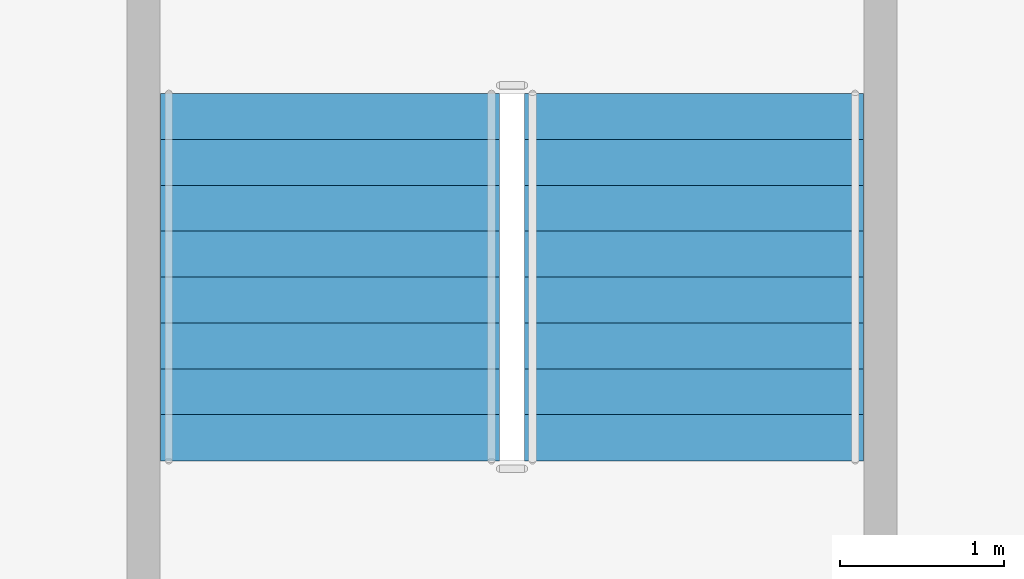
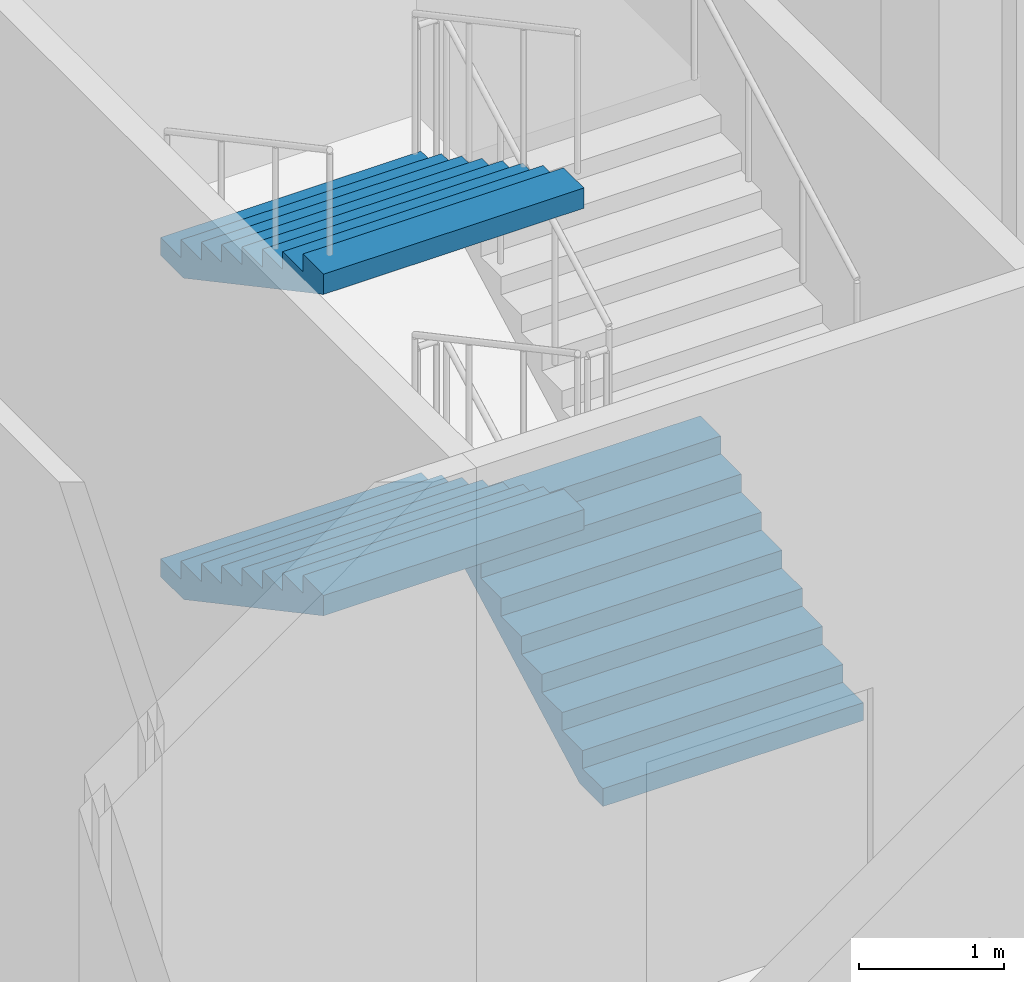
# One storey, part 20 of 26: 3 stair flights, 1 element without a shape of its own.
"""IFC4 building model written with IfcOpenShell, lengths in metres."""

from ifc_helpers import new_model, si_unit, direction, frame, origin, place, context, subcontext, project, spatial, polygons, material, type_object, element, aggregate, save


model = new_model("IFC4")

# Units and contexts
model_context = context("Model", 3, precision=1e-05, world=origin(), true_north=direction((0.0, 1.0)))
body_context = subcontext(model_context, "Body", "Model", "MODEL_VIEW")
ifc_project = project(units=[si_unit("LENGTHUNIT", "METRE"), si_unit("AREAUNIT", "SQUARE_METRE"), si_unit("VOLUMEUNIT", "CUBIC_METRE"), si_unit("PLANEANGLEUNIT", "RADIAN"), si_unit("MASSUNIT", "GRAM", prefix="KILO")], contexts=[model_context])

# Site, building, storey
site_placement = place(None, origin())
site = spatial("IfcSite", under=ifc_project, at=site_placement, CompositionType="ELEMENT")
building_placement = place(site_placement, origin())
building = spatial("IfcBuilding", under=site, at=building_placement, Name="Caravel Reach Hotel and Residences", CompositionType="ELEMENT")
storey_placement = place(building_placement, frame((0.0, 0.0, 12.0)))
storey = spatial("IfcBuildingStorey", under=building, at=storey_placement, Name="L02", CompositionType="ELEMENT", Elevation=12.0)

# Stair, stair flights
ifc_material_1 = material(Name="Concrete C40", Category="concrete")
stair_type = type_object("IfcStairType", Name="Core stair", PredefinedType="HALF_TURN_STAIR", material=ifc_material_1)
stair_placement = place(storey_placement, origin())
stair = element("IfcStair", 1, at=stair_placement, inside=storey, type_object=stair_type, Name="L02 Exit stair P6", PredefinedType="HALF_TURN_STAIR")
ifc_material_2 = material(Name="Concrete C40", Category="concrete")
stair_flight_type = type_object("IfcStairFlightType", Name="Core stair flight", PredefinedType="STRAIGHT", material=ifc_material_2)
stair_flight_1_placement = place(storey_placement, frame((64.360107421875, 42.68994140625, 0.0), z_axis=(0.0, 0.0, 1.0), x_axis=(0.0, 1.0, 0.0)))
stair_flight_1 = element("IfcStairFlight", 2, at=stair_flight_1_placement, type_object=stair_flight_type, Name="ST-P6 flight 1", NumberOfRisers=9, NumberOfTreads=8, PredefinedType="STRAIGHT", RiserHeight=0.15, TreadLength=0.28, context=body_context, shape_type="Tessellation", body=[
    polygons([(0.3174408016601864, 1.0350341796875, 0.0), (0.3174408016601864, 0.6900227864583333, 0.0), (0.3174408016601864, 0.34501139322916663, 0.0), (0.3174408016601864, 0.0, 0.0), (0.3174408016601864, -0.34501139322916674, 0.0), (0.3174408016601864, -0.6900227864583333, 0.0), (0.3174408016601864, -1.0350341796875, 0.0), (2.241, 1.0350341796875, 1.029942427682043), (2.241, 0.6900227864583333, 1.029942427682043), (2.241, 0.34501139322916663, 1.029942427682043), (2.241, 0.0, 1.029942427682043), (2.241, -0.34501139322916674, 1.029942427682043), (2.241, -0.6900227864583333, 1.029942427682043), (2.241, -1.0350341796875, 1.029942427682043), (2.241, 1.0350341796875, 1.2), (2.241, 0.6900227864583333, 1.2), (2.241, 0.34501139322916663, 1.2), (2.241, 0.0, 1.2), (2.241, -0.34501139322916674, 1.2), (2.241, -0.6900227864583333, 1.2), (2.241, -1.0350341796875, 1.2), (1.9600000000000002, 1.0350341796875, 1.2), (1.9600000000000002, 0.6900227864583333, 1.2), (1.9600000000000002, 0.34501139322916663, 1.2), (1.9600000000000002, 0.0, 1.2), (1.9600000000000002, -0.34501139322916674, 1.2), (1.9600000000000002, -0.6900227864583333, 1.2), (1.9600000000000002, -1.0350341796875, 1.2), (1.9600000000000002, 1.0350341796875, 1.05), (1.9600000000000002, 0.6900227864583333, 1.05), (1.9600000000000002, 0.34501139322916663, 1.05), (1.9600000000000002, 0.0, 1.05), (1.9600000000000002, -0.34501139322916674, 1.05), (1.9600000000000002, -0.6900227864583333, 1.05), (1.9600000000000002, -1.0350341796875, 1.05), (1.6800000000000002, 1.0350341796875, 1.05), (1.6800000000000002, 0.6900227864583333, 1.05), (1.6800000000000002, 0.34501139322916663, 1.05), (1.6800000000000002, 0.0, 1.05), (1.6800000000000002, -0.34501139322916674, 1.05), (1.6800000000000002, -0.6900227864583333, 1.05), (1.6800000000000002, -1.0350341796875, 1.05), (1.6800000000000002, 1.0350341796875, 0.8999999999999999), (1.6800000000000002, 0.6900227864583333, 0.8999999999999999), (1.6800000000000002, 0.34501139322916663, 0.8999999999999999), (1.6800000000000002, 0.0, 0.8999999999999999), (1.6800000000000002, -0.34501139322916674, 0.8999999999999999), (1.6800000000000002, -0.6900227864583333, 0.8999999999999999), (1.6800000000000002, -1.0350341796875, 0.8999999999999999), (1.4000000000000001, 1.0350341796875, 0.8999999999999999), (1.4000000000000001, 0.6900227864583333, 0.8999999999999999), (1.4000000000000001, 0.34501139322916663, 0.8999999999999999), (1.4000000000000001, 0.0, 0.8999999999999999), (1.4000000000000001, -0.34501139322916674, 0.8999999999999999), (1.4000000000000001, -0.6900227864583333, 0.8999999999999999), (1.4000000000000001, -1.0350341796875, 0.8999999999999999), (1.4000000000000001, 1.0350341796875, 0.75), (1.4000000000000001, 0.6900227864583333, 0.75), (1.4000000000000001, 0.34501139322916663, 0.75), (1.4000000000000001, 0.0, 0.75), (1.4000000000000001, -0.34501139322916674, 0.75), (1.4000000000000001, -0.6900227864583333, 0.75), (1.4000000000000001, -1.0350341796875, 0.75), (1.12, 1.0350341796875, 0.75), (1.12, 0.6900227864583333, 0.75), (1.12, 0.34501139322916663, 0.75), (1.12, 0.0, 0.75), (1.12, -0.34501139322916674, 0.75), (1.12, -0.6900227864583333, 0.75), (1.12, -1.0350341796875, 0.75), (1.12, 1.0350341796875, 0.6), (1.12, 0.6900227864583333, 0.6), (1.12, 0.34501139322916663, 0.6), (1.12, 0.0, 0.6), (1.12, -0.34501139322916674, 0.6), (1.12, -0.6900227864583333, 0.6), (1.12, -1.0350341796875, 0.6), (0.8400000000000001, 1.0350341796875, 0.6), (0.8400000000000001, 0.6900227864583333, 0.6), (0.8400000000000001, 0.34501139322916663, 0.6), (0.8400000000000001, 0.0, 0.6), (0.8400000000000001, -0.34501139322916674, 0.6), (0.8400000000000001, -0.6900227864583333, 0.6), (0.8400000000000001, -1.0350341796875, 0.6), (0.8400000000000001, 1.0350341796875, 0.44999999999999996), (0.8400000000000001, 0.6900227864583333, 0.44999999999999996), (0.8400000000000001, 0.34501139322916663, 0.44999999999999996), (0.8400000000000001, 0.0, 0.44999999999999996), (0.8400000000000001, -0.34501139322916674, 0.44999999999999996), (0.8400000000000001, -0.6900227864583333, 0.44999999999999996), (0.8400000000000001, -1.0350341796875, 0.44999999999999996), (0.56, 1.0350341796875, 0.44999999999999996), (0.56, 0.6900227864583333, 0.44999999999999996), (0.56, 0.34501139322916663, 0.44999999999999996), (0.56, 0.0, 0.44999999999999996), (0.56, -0.34501139322916674, 0.44999999999999996), (0.56, -0.6900227864583333, 0.44999999999999996), (0.56, -1.0350341796875, 0.44999999999999996), (0.56, 1.0350341796875, 0.3), (0.56, 0.6900227864583333, 0.3), (0.56, 0.34501139322916663, 0.3), (0.56, 0.0, 0.3), (0.56, -0.34501139322916674, 0.3), (0.56, -0.6900227864583333, 0.3), (0.56, -1.0350341796875, 0.3), (0.28, 1.0350341796875, 0.3), (0.28, 0.6900227864583333, 0.3), (0.28, 0.34501139322916663, 0.3), (0.28, 0.0, 0.3), (0.28, -0.34501139322916674, 0.3), (0.28, -0.6900227864583333, 0.3), (0.28, -1.0350341796875, 0.3), (0.28, 1.0350341796875, 0.15), (0.28, 0.6900227864583333, 0.15), (0.28, 0.34501139322916663, 0.15), (0.28, 0.0, 0.15), (0.28, -0.34501139322916674, 0.15), (0.28, -0.6900227864583333, 0.15), (0.28, -1.0350341796875, 0.15), (-0.001, 1.0350341796875, 0.15), (-0.001, 0.6900227864583333, 0.15), (-0.001, 0.34501139322916663, 0.15), (-0.001, 0.0, 0.15), (-0.001, -0.34501139322916674, 0.15), (-0.001, -0.6900227864583333, 0.15), (-0.001, -1.0350341796875, 0.15), (-0.001, 1.0350341796875, 0.0), (-0.001, 0.6900227864583333, 0.0), (-0.001, 0.34501139322916663, 0.0), (-0.001, 0.0, 0.0), (-0.001, -0.34501139322916674, 0.0), (-0.001, -0.6900227864583333, 0.0), (-0.001, -1.0350341796875, 0.0)], [[[127, 120, 113, 106, 99, 92, 85, 78, 71, 64, 57, 50, 43, 36, 29, 22, 15, 8, 1]], [[7, 14, 21, 28, 35, 42, 49, 56, 63, 70, 77, 84, 91, 98, 105, 112, 119, 126, 133]], [[1, 8, 9, 2]], [[2, 9, 10, 3]], [[3, 10, 11, 4]], [[4, 11, 12, 5]], [[5, 12, 13, 6]], [[6, 13, 14, 7]], [[8, 15, 16, 9]], [[9, 16, 17, 10]], [[10, 17, 18, 11]], [[11, 18, 19, 12]], [[12, 19, 20, 13]], [[13, 20, 21, 14]], [[15, 22, 23, 16]], [[16, 23, 24, 17]], [[17, 24, 25, 18]], [[18, 25, 26, 19]], [[19, 26, 27, 20]], [[20, 27, 28, 21]], [[22, 29, 30, 23]], [[23, 30, 31, 24]], [[24, 31, 32, 25]], [[25, 32, 33, 26]], [[26, 33, 34, 27]], [[27, 34, 35, 28]], [[29, 36, 37, 30]], [[30, 37, 38, 31]], [[31, 38, 39, 32]], [[32, 39, 40, 33]], [[33, 40, 41, 34]], [[34, 41, 42, 35]], [[36, 43, 44, 37]], [[37, 44, 45, 38]], [[38, 45, 46, 39]], [[39, 46, 47, 40]], [[40, 47, 48, 41]], [[41, 48, 49, 42]], [[43, 50, 51, 44]], [[44, 51, 52, 45]], [[45, 52, 53, 46]], [[46, 53, 54, 47]], [[47, 54, 55, 48]], [[48, 55, 56, 49]], [[50, 57, 58, 51]], [[51, 58, 59, 52]], [[52, 59, 60, 53]], [[53, 60, 61, 54]], [[54, 61, 62, 55]], [[55, 62, 63, 56]], [[57, 64, 65, 58]], [[58, 65, 66, 59]], [[59, 66, 67, 60]], [[60, 67, 68, 61]], [[61, 68, 69, 62]], [[62, 69, 70, 63]], [[64, 71, 72, 65]], [[65, 72, 73, 66]], [[66, 73, 74, 67]], [[67, 74, 75, 68]], [[68, 75, 76, 69]], [[69, 76, 77, 70]], [[71, 78, 79, 72]], [[72, 79, 80, 73]], [[73, 80, 81, 74]], [[74, 81, 82, 75]], [[75, 82, 83, 76]], [[76, 83, 84, 77]], [[78, 85, 86, 79]], [[79, 86, 87, 80]], [[80, 87, 88, 81]], [[81, 88, 89, 82]], [[82, 89, 90, 83]], [[83, 90, 91, 84]], [[85, 92, 93, 86]], [[86, 93, 94, 87]], [[87, 94, 95, 88]], [[88, 95, 96, 89]], [[89, 96, 97, 90]], [[90, 97, 98, 91]], [[92, 99, 100, 93]], [[93, 100, 101, 94]], [[94, 101, 102, 95]], [[95, 102, 103, 96]], [[96, 103, 104, 97]], [[97, 104, 105, 98]], [[99, 106, 107, 100]], [[100, 107, 108, 101]], [[101, 108, 109, 102]], [[102, 109, 110, 103]], [[103, 110, 111, 104]], [[104, 111, 112, 105]], [[106, 113, 114, 107]], [[107, 114, 115, 108]], [[108, 115, 116, 109]], [[109, 116, 117, 110]], [[110, 117, 118, 111]], [[111, 118, 119, 112]], [[113, 120, 121, 114]], [[114, 121, 122, 115]], [[115, 122, 123, 116]], [[116, 123, 124, 117]], [[117, 124, 125, 118]], [[118, 125, 126, 119]], [[120, 127, 128, 121]], [[121, 128, 129, 122]], [[122, 129, 130, 123]], [[123, 130, 131, 124]], [[124, 131, 132, 125]], [[125, 132, 133, 126]], [[127, 1, 2, 128]], [[128, 2, 3, 129]], [[129, 3, 4, 130]], [[130, 4, 5, 131]], [[131, 5, 6, 132]], [[132, 6, 7, 133]]], closed=True),
])
stair_flight_2_placement = place(storey_placement, frame((62.139892578125, 44.929931640625, 1.35009765625), z_axis=(0.0, 0.0, 1.0), x_axis=(0.0, -1.0, 0.0)))
stair_flight_2 = element("IfcStairFlight", 3, at=stair_flight_2_placement, type_object=stair_flight_type, Name="ST-P6 flight 2", NumberOfRisers=9, NumberOfTreads=8, PredefinedType="STRAIGHT", RiserHeight=0.15, TreadLength=0.28, context=body_context, shape_type="Tessellation", body=[
    polygons([(0.3174408016601864, 1.0350341796875, 0.0), (0.3174408016601864, 0.6900227864583333, 0.0), (0.3174408016601864, 0.34501139322916663, 0.0), (0.3174408016601864, 0.0, 0.0), (0.3174408016601864, -0.34501139322916674, 0.0), (0.3174408016601864, -0.6900227864583333, 0.0), (0.3174408016601864, -1.0350341796875, 0.0), (2.241, 1.0350341796875, 1.029942427682043), (2.241, 0.6900227864583333, 1.029942427682043), (2.241, 0.34501139322916663, 1.029942427682043), (2.241, 0.0, 1.029942427682043), (2.241, -0.34501139322916674, 1.029942427682043), (2.241, -0.6900227864583333, 1.029942427682043), (2.241, -1.0350341796875, 1.029942427682043), (2.241, 1.0350341796875, 1.2), (2.241, 0.6900227864583333, 1.2), (2.241, 0.34501139322916663, 1.2), (2.241, 0.0, 1.2), (2.241, -0.34501139322916674, 1.2), (2.241, -0.6900227864583333, 1.2), (2.241, -1.0350341796875, 1.2), (1.9600000000000002, 1.0350341796875, 1.2), (1.9600000000000002, 0.6900227864583333, 1.2), (1.9600000000000002, 0.34501139322916663, 1.2), (1.9600000000000002, 0.0, 1.2), (1.9600000000000002, -0.34501139322916674, 1.2), (1.9600000000000002, -0.6900227864583333, 1.2), (1.9600000000000002, -1.0350341796875, 1.2), (1.9600000000000002, 1.0350341796875, 1.05), (1.9600000000000002, 0.6900227864583333, 1.05), (1.9600000000000002, 0.34501139322916663, 1.05), (1.9600000000000002, 0.0, 1.05), (1.9600000000000002, -0.34501139322916674, 1.05), (1.9600000000000002, -0.6900227864583333, 1.05), (1.9600000000000002, -1.0350341796875, 1.05), (1.6800000000000002, 1.0350341796875, 1.05), (1.6800000000000002, 0.6900227864583333, 1.05), (1.6800000000000002, 0.34501139322916663, 1.05), (1.6800000000000002, 0.0, 1.05), (1.6800000000000002, -0.34501139322916674, 1.05), (1.6800000000000002, -0.6900227864583333, 1.05), (1.6800000000000002, -1.0350341796875, 1.05), (1.6800000000000002, 1.0350341796875, 0.8999999999999999), (1.6800000000000002, 0.6900227864583333, 0.8999999999999999), (1.6800000000000002, 0.34501139322916663, 0.8999999999999999), (1.6800000000000002, 0.0, 0.8999999999999999), (1.6800000000000002, -0.34501139322916674, 0.8999999999999999), (1.6800000000000002, -0.6900227864583333, 0.8999999999999999), (1.6800000000000002, -1.0350341796875, 0.8999999999999999), (1.4000000000000001, 1.0350341796875, 0.8999999999999999), (1.4000000000000001, 0.6900227864583333, 0.8999999999999999), (1.4000000000000001, 0.34501139322916663, 0.8999999999999999), (1.4000000000000001, 0.0, 0.8999999999999999), (1.4000000000000001, -0.34501139322916674, 0.8999999999999999), (1.4000000000000001, -0.6900227864583333, 0.8999999999999999), (1.4000000000000001, -1.0350341796875, 0.8999999999999999), (1.4000000000000001, 1.0350341796875, 0.75), (1.4000000000000001, 0.6900227864583333, 0.75), (1.4000000000000001, 0.34501139322916663, 0.75), (1.4000000000000001, 0.0, 0.75), (1.4000000000000001, -0.34501139322916674, 0.75), (1.4000000000000001, -0.6900227864583333, 0.75), (1.4000000000000001, -1.0350341796875, 0.75), (1.12, 1.0350341796875, 0.75), (1.12, 0.6900227864583333, 0.75), (1.12, 0.34501139322916663, 0.75), (1.12, 0.0, 0.75), (1.12, -0.34501139322916674, 0.75), (1.12, -0.6900227864583333, 0.75), (1.12, -1.0350341796875, 0.75), (1.12, 1.0350341796875, 0.6), (1.12, 0.6900227864583333, 0.6), (1.12, 0.34501139322916663, 0.6), (1.12, 0.0, 0.6), (1.12, -0.34501139322916674, 0.6), (1.12, -0.6900227864583333, 0.6), (1.12, -1.0350341796875, 0.6), (0.8400000000000001, 1.0350341796875, 0.6), (0.8400000000000001, 0.6900227864583333, 0.6), (0.8400000000000001, 0.34501139322916663, 0.6), (0.8400000000000001, 0.0, 0.6), (0.8400000000000001, -0.34501139322916674, 0.6), (0.8400000000000001, -0.6900227864583333, 0.6), (0.8400000000000001, -1.0350341796875, 0.6), (0.8400000000000001, 1.0350341796875, 0.44999999999999996), (0.8400000000000001, 0.6900227864583333, 0.44999999999999996), (0.8400000000000001, 0.34501139322916663, 0.44999999999999996), (0.8400000000000001, 0.0, 0.44999999999999996), (0.8400000000000001, -0.34501139322916674, 0.44999999999999996), (0.8400000000000001, -0.6900227864583333, 0.44999999999999996), (0.8400000000000001, -1.0350341796875, 0.44999999999999996), (0.56, 1.0350341796875, 0.44999999999999996), (0.56, 0.6900227864583333, 0.44999999999999996), (0.56, 0.34501139322916663, 0.44999999999999996), (0.56, 0.0, 0.44999999999999996), (0.56, -0.34501139322916674, 0.44999999999999996), (0.56, -0.6900227864583333, 0.44999999999999996), (0.56, -1.0350341796875, 0.44999999999999996), (0.56, 1.0350341796875, 0.3), (0.56, 0.6900227864583333, 0.3), (0.56, 0.34501139322916663, 0.3), (0.56, 0.0, 0.3), (0.56, -0.34501139322916674, 0.3), (0.56, -0.6900227864583333, 0.3), (0.56, -1.0350341796875, 0.3), (0.28, 1.0350341796875, 0.3), (0.28, 0.6900227864583333, 0.3), (0.28, 0.34501139322916663, 0.3), (0.28, 0.0, 0.3), (0.28, -0.34501139322916674, 0.3), (0.28, -0.6900227864583333, 0.3), (0.28, -1.0350341796875, 0.3), (0.28, 1.0350341796875, 0.15), (0.28, 0.6900227864583333, 0.15), (0.28, 0.34501139322916663, 0.15), (0.28, 0.0, 0.15), (0.28, -0.34501139322916674, 0.15), (0.28, -0.6900227864583333, 0.15), (0.28, -1.0350341796875, 0.15), (-0.001, 1.0350341796875, 0.15), (-0.001, 0.6900227864583333, 0.15), (-0.001, 0.34501139322916663, 0.15), (-0.001, 0.0, 0.15), (-0.001, -0.34501139322916674, 0.15), (-0.001, -0.6900227864583333, 0.15), (-0.001, -1.0350341796875, 0.15), (-0.001, 1.0350341796875, 0.0), (-0.001, 0.6900227864583333, 0.0), (-0.001, 0.34501139322916663, 0.0), (-0.001, 0.0, 0.0), (-0.001, -0.34501139322916674, 0.0), (-0.001, -0.6900227864583333, 0.0), (-0.001, -1.0350341796875, 0.0)], [[[127, 120, 113, 106, 99, 92, 85, 78, 71, 64, 57, 50, 43, 36, 29, 22, 15, 8, 1]], [[7, 14, 21, 28, 35, 42, 49, 56, 63, 70, 77, 84, 91, 98, 105, 112, 119, 126, 133]], [[1, 8, 9, 2]], [[2, 9, 10, 3]], [[3, 10, 11, 4]], [[4, 11, 12, 5]], [[5, 12, 13, 6]], [[6, 13, 14, 7]], [[8, 15, 16, 9]], [[9, 16, 17, 10]], [[10, 17, 18, 11]], [[11, 18, 19, 12]], [[12, 19, 20, 13]], [[13, 20, 21, 14]], [[15, 22, 23, 16]], [[16, 23, 24, 17]], [[17, 24, 25, 18]], [[18, 25, 26, 19]], [[19, 26, 27, 20]], [[20, 27, 28, 21]], [[22, 29, 30, 23]], [[23, 30, 31, 24]], [[24, 31, 32, 25]], [[25, 32, 33, 26]], [[26, 33, 34, 27]], [[27, 34, 35, 28]], [[29, 36, 37, 30]], [[30, 37, 38, 31]], [[31, 38, 39, 32]], [[32, 39, 40, 33]], [[33, 40, 41, 34]], [[34, 41, 42, 35]], [[36, 43, 44, 37]], [[37, 44, 45, 38]], [[38, 45, 46, 39]], [[39, 46, 47, 40]], [[40, 47, 48, 41]], [[41, 48, 49, 42]], [[43, 50, 51, 44]], [[44, 51, 52, 45]], [[45, 52, 53, 46]], [[46, 53, 54, 47]], [[47, 54, 55, 48]], [[48, 55, 56, 49]], [[50, 57, 58, 51]], [[51, 58, 59, 52]], [[52, 59, 60, 53]], [[53, 60, 61, 54]], [[54, 61, 62, 55]], [[55, 62, 63, 56]], [[57, 64, 65, 58]], [[58, 65, 66, 59]], [[59, 66, 67, 60]], [[60, 67, 68, 61]], [[61, 68, 69, 62]], [[62, 69, 70, 63]], [[64, 71, 72, 65]], [[65, 72, 73, 66]], [[66, 73, 74, 67]], [[67, 74, 75, 68]], [[68, 75, 76, 69]], [[69, 76, 77, 70]], [[71, 78, 79, 72]], [[72, 79, 80, 73]], [[73, 80, 81, 74]], [[74, 81, 82, 75]], [[75, 82, 83, 76]], [[76, 83, 84, 77]], [[78, 85, 86, 79]], [[79, 86, 87, 80]], [[80, 87, 88, 81]], [[81, 88, 89, 82]], [[82, 89, 90, 83]], [[83, 90, 91, 84]], [[85, 92, 93, 86]], [[86, 93, 94, 87]], [[87, 94, 95, 88]], [[88, 95, 96, 89]], [[89, 96, 97, 90]], [[90, 97, 98, 91]], [[92, 99, 100, 93]], [[93, 100, 101, 94]], [[94, 101, 102, 95]], [[95, 102, 103, 96]], [[96, 103, 104, 97]], [[97, 104, 105, 98]], [[99, 106, 107, 100]], [[100, 107, 108, 101]], [[101, 108, 109, 102]], [[102, 109, 110, 103]], [[103, 110, 111, 104]], [[104, 111, 112, 105]], [[106, 113, 114, 107]], [[107, 114, 115, 108]], [[108, 115, 116, 109]], [[109, 116, 117, 110]], [[110, 117, 118, 111]], [[111, 118, 119, 112]], [[113, 120, 121, 114]], [[114, 121, 122, 115]], [[115, 122, 123, 116]], [[116, 123, 124, 117]], [[117, 124, 125, 118]], [[118, 125, 126, 119]], [[120, 127, 128, 121]], [[121, 128, 129, 122]], [[122, 129, 130, 123]], [[123, 130, 131, 124]], [[124, 131, 132, 125]], [[125, 132, 133, 126]], [[127, 1, 2, 128]], [[128, 2, 3, 129]], [[129, 3, 4, 130]], [[130, 4, 5, 131]], [[131, 5, 6, 132]], [[132, 6, 7, 133]]], closed=True),
])
stair_flight_3_placement = place(storey_placement, frame((62.139892578125, 44.929931640625, 4.050048828125), z_axis=(0.0, 0.0, 1.0), x_axis=(0.0, -1.0, 0.0)))
stair_flight_3 = element("IfcStairFlight", 4, at=stair_flight_3_placement, type_object=stair_flight_type, Name="ST-P6 flight 4", NumberOfRisers=9, NumberOfTreads=8, PredefinedType="STRAIGHT", RiserHeight=0.15, TreadLength=0.28, context=body_context, shape_type="Tessellation", body=[
    polygons([(0.3174408016601864, 1.0350341796875, 0.0), (0.3174408016601864, 0.6900227864583333, 0.0), (0.3174408016601864, 0.34501139322916663, 0.0), (0.3174408016601864, 0.0, 0.0), (0.3174408016601864, -0.34501139322916674, 0.0), (0.3174408016601864, -0.6900227864583333, 0.0), (0.3174408016601864, -1.0350341796875, 0.0), (2.241, 1.0350341796875, 1.029942427682043), (2.241, 0.6900227864583333, 1.029942427682043), (2.241, 0.34501139322916663, 1.029942427682043), (2.241, 0.0, 1.029942427682043), (2.241, -0.34501139322916674, 1.029942427682043), (2.241, -0.6900227864583333, 1.029942427682043), (2.241, -1.0350341796875, 1.029942427682043), (2.241, 1.0350341796875, 1.2), (2.241, 0.6900227864583333, 1.2), (2.241, 0.34501139322916663, 1.2), (2.241, 0.0, 1.2), (2.241, -0.34501139322916674, 1.2), (2.241, -0.6900227864583333, 1.2), (2.241, -1.0350341796875, 1.2), (1.9600000000000002, 1.0350341796875, 1.2), (1.9600000000000002, 0.6900227864583333, 1.2), (1.9600000000000002, 0.34501139322916663, 1.2), (1.9600000000000002, 0.0, 1.2), (1.9600000000000002, -0.34501139322916674, 1.2), (1.9600000000000002, -0.6900227864583333, 1.2), (1.9600000000000002, -1.0350341796875, 1.2), (1.9600000000000002, 1.0350341796875, 1.05), (1.9600000000000002, 0.6900227864583333, 1.05), (1.9600000000000002, 0.34501139322916663, 1.05), (1.9600000000000002, 0.0, 1.05), (1.9600000000000002, -0.34501139322916674, 1.05), (1.9600000000000002, -0.6900227864583333, 1.05), (1.9600000000000002, -1.0350341796875, 1.05), (1.6800000000000002, 1.0350341796875, 1.05), (1.6800000000000002, 0.6900227864583333, 1.05), (1.6800000000000002, 0.34501139322916663, 1.05), (1.6800000000000002, 0.0, 1.05), (1.6800000000000002, -0.34501139322916674, 1.05), (1.6800000000000002, -0.6900227864583333, 1.05), (1.6800000000000002, -1.0350341796875, 1.05), (1.6800000000000002, 1.0350341796875, 0.8999999999999999), (1.6800000000000002, 0.6900227864583333, 0.8999999999999999), (1.6800000000000002, 0.34501139322916663, 0.8999999999999999), (1.6800000000000002, 0.0, 0.8999999999999999), (1.6800000000000002, -0.34501139322916674, 0.8999999999999999), (1.6800000000000002, -0.6900227864583333, 0.8999999999999999), (1.6800000000000002, -1.0350341796875, 0.8999999999999999), (1.4000000000000001, 1.0350341796875, 0.8999999999999999), (1.4000000000000001, 0.6900227864583333, 0.8999999999999999), (1.4000000000000001, 0.34501139322916663, 0.8999999999999999), (1.4000000000000001, 0.0, 0.8999999999999999), (1.4000000000000001, -0.34501139322916674, 0.8999999999999999), (1.4000000000000001, -0.6900227864583333, 0.8999999999999999), (1.4000000000000001, -1.0350341796875, 0.8999999999999999), (1.4000000000000001, 1.0350341796875, 0.75), (1.4000000000000001, 0.6900227864583333, 0.75), (1.4000000000000001, 0.34501139322916663, 0.75), (1.4000000000000001, 0.0, 0.75), (1.4000000000000001, -0.34501139322916674, 0.75), (1.4000000000000001, -0.6900227864583333, 0.75), (1.4000000000000001, -1.0350341796875, 0.75), (1.12, 1.0350341796875, 0.75), (1.12, 0.6900227864583333, 0.75), (1.12, 0.34501139322916663, 0.75), (1.12, 0.0, 0.75), (1.12, -0.34501139322916674, 0.75), (1.12, -0.6900227864583333, 0.75), (1.12, -1.0350341796875, 0.75), (1.12, 1.0350341796875, 0.6), (1.12, 0.6900227864583333, 0.6), (1.12, 0.34501139322916663, 0.6), (1.12, 0.0, 0.6), (1.12, -0.34501139322916674, 0.6), (1.12, -0.6900227864583333, 0.6), (1.12, -1.0350341796875, 0.6), (0.8400000000000001, 1.0350341796875, 0.6), (0.8400000000000001, 0.6900227864583333, 0.6), (0.8400000000000001, 0.34501139322916663, 0.6), (0.8400000000000001, 0.0, 0.6), (0.8400000000000001, -0.34501139322916674, 0.6), (0.8400000000000001, -0.6900227864583333, 0.6), (0.8400000000000001, -1.0350341796875, 0.6), (0.8400000000000001, 1.0350341796875, 0.44999999999999996), (0.8400000000000001, 0.6900227864583333, 0.44999999999999996), (0.8400000000000001, 0.34501139322916663, 0.44999999999999996), (0.8400000000000001, 0.0, 0.44999999999999996), (0.8400000000000001, -0.34501139322916674, 0.44999999999999996), (0.8400000000000001, -0.6900227864583333, 0.44999999999999996), (0.8400000000000001, -1.0350341796875, 0.44999999999999996), (0.56, 1.0350341796875, 0.44999999999999996), (0.56, 0.6900227864583333, 0.44999999999999996), (0.56, 0.34501139322916663, 0.44999999999999996), (0.56, 0.0, 0.44999999999999996), (0.56, -0.34501139322916674, 0.44999999999999996), (0.56, -0.6900227864583333, 0.44999999999999996), (0.56, -1.0350341796875, 0.44999999999999996), (0.56, 1.0350341796875, 0.3), (0.56, 0.6900227864583333, 0.3), (0.56, 0.34501139322916663, 0.3), (0.56, 0.0, 0.3), (0.56, -0.34501139322916674, 0.3), (0.56, -0.6900227864583333, 0.3), (0.56, -1.0350341796875, 0.3), (0.28, 1.0350341796875, 0.3), (0.28, 0.6900227864583333, 0.3), (0.28, 0.34501139322916663, 0.3), (0.28, 0.0, 0.3), (0.28, -0.34501139322916674, 0.3), (0.28, -0.6900227864583333, 0.3), (0.28, -1.0350341796875, 0.3), (0.28, 1.0350341796875, 0.15), (0.28, 0.6900227864583333, 0.15), (0.28, 0.34501139322916663, 0.15), (0.28, 0.0, 0.15), (0.28, -0.34501139322916674, 0.15), (0.28, -0.6900227864583333, 0.15), (0.28, -1.0350341796875, 0.15), (-0.001, 1.0350341796875, 0.15), (-0.001, 0.6900227864583333, 0.15), (-0.001, 0.34501139322916663, 0.15), (-0.001, 0.0, 0.15), (-0.001, -0.34501139322916674, 0.15), (-0.001, -0.6900227864583333, 0.15), (-0.001, -1.0350341796875, 0.15), (-0.001, 1.0350341796875, 0.0), (-0.001, 0.6900227864583333, 0.0), (-0.001, 0.34501139322916663, 0.0), (-0.001, 0.0, 0.0), (-0.001, -0.34501139322916674, 0.0), (-0.001, -0.6900227864583333, 0.0), (-0.001, -1.0350341796875, 0.0)], [[[127, 120, 113, 106, 99, 92, 85, 78, 71, 64, 57, 50, 43, 36, 29, 22, 15, 8, 1]], [[7, 14, 21, 28, 35, 42, 49, 56, 63, 70, 77, 84, 91, 98, 105, 112, 119, 126, 133]], [[1, 8, 9, 2]], [[2, 9, 10, 3]], [[3, 10, 11, 4]], [[4, 11, 12, 5]], [[5, 12, 13, 6]], [[6, 13, 14, 7]], [[8, 15, 16, 9]], [[9, 16, 17, 10]], [[10, 17, 18, 11]], [[11, 18, 19, 12]], [[12, 19, 20, 13]], [[13, 20, 21, 14]], [[15, 22, 23, 16]], [[16, 23, 24, 17]], [[17, 24, 25, 18]], [[18, 25, 26, 19]], [[19, 26, 27, 20]], [[20, 27, 28, 21]], [[22, 29, 30, 23]], [[23, 30, 31, 24]], [[24, 31, 32, 25]], [[25, 32, 33, 26]], [[26, 33, 34, 27]], [[27, 34, 35, 28]], [[29, 36, 37, 30]], [[30, 37, 38, 31]], [[31, 38, 39, 32]], [[32, 39, 40, 33]], [[33, 40, 41, 34]], [[34, 41, 42, 35]], [[36, 43, 44, 37]], [[37, 44, 45, 38]], [[38, 45, 46, 39]], [[39, 46, 47, 40]], [[40, 47, 48, 41]], [[41, 48, 49, 42]], [[43, 50, 51, 44]], [[44, 51, 52, 45]], [[45, 52, 53, 46]], [[46, 53, 54, 47]], [[47, 54, 55, 48]], [[48, 55, 56, 49]], [[50, 57, 58, 51]], [[51, 58, 59, 52]], [[52, 59, 60, 53]], [[53, 60, 61, 54]], [[54, 61, 62, 55]], [[55, 62, 63, 56]], [[57, 64, 65, 58]], [[58, 65, 66, 59]], [[59, 66, 67, 60]], [[60, 67, 68, 61]], [[61, 68, 69, 62]], [[62, 69, 70, 63]], [[64, 71, 72, 65]], [[65, 72, 73, 66]], [[66, 73, 74, 67]], [[67, 74, 75, 68]], [[68, 75, 76, 69]], [[69, 76, 77, 70]], [[71, 78, 79, 72]], [[72, 79, 80, 73]], [[73, 80, 81, 74]], [[74, 81, 82, 75]], [[75, 82, 83, 76]], [[76, 83, 84, 77]], [[78, 85, 86, 79]], [[79, 86, 87, 80]], [[80, 87, 88, 81]], [[81, 88, 89, 82]], [[82, 89, 90, 83]], [[83, 90, 91, 84]], [[85, 92, 93, 86]], [[86, 93, 94, 87]], [[87, 94, 95, 88]], [[88, 95, 96, 89]], [[89, 96, 97, 90]], [[90, 97, 98, 91]], [[92, 99, 100, 93]], [[93, 100, 101, 94]], [[94, 101, 102, 95]], [[95, 102, 103, 96]], [[96, 103, 104, 97]], [[97, 104, 105, 98]], [[99, 106, 107, 100]], [[100, 107, 108, 101]], [[101, 108, 109, 102]], [[102, 109, 110, 103]], [[103, 110, 111, 104]], [[104, 111, 112, 105]], [[106, 113, 114, 107]], [[107, 114, 115, 108]], [[108, 115, 116, 109]], [[109, 116, 117, 110]], [[110, 117, 118, 111]], [[111, 118, 119, 112]], [[113, 120, 121, 114]], [[114, 121, 122, 115]], [[115, 122, 123, 116]], [[116, 123, 124, 117]], [[117, 124, 125, 118]], [[118, 125, 126, 119]], [[120, 127, 128, 121]], [[121, 128, 129, 122]], [[122, 129, 130, 123]], [[123, 130, 131, 124]], [[124, 131, 132, 125]], [[125, 132, 133, 126]], [[127, 1, 2, 128]], [[128, 2, 3, 129]], [[129, 3, 4, 130]], [[130, 4, 5, 131]], [[131, 5, 6, 132]], [[132, 6, 7, 133]]], closed=True),
])
aggregate(stair, [stair_flight_1, stair_flight_2, stair_flight_3])

save(model, "model.ifc")
